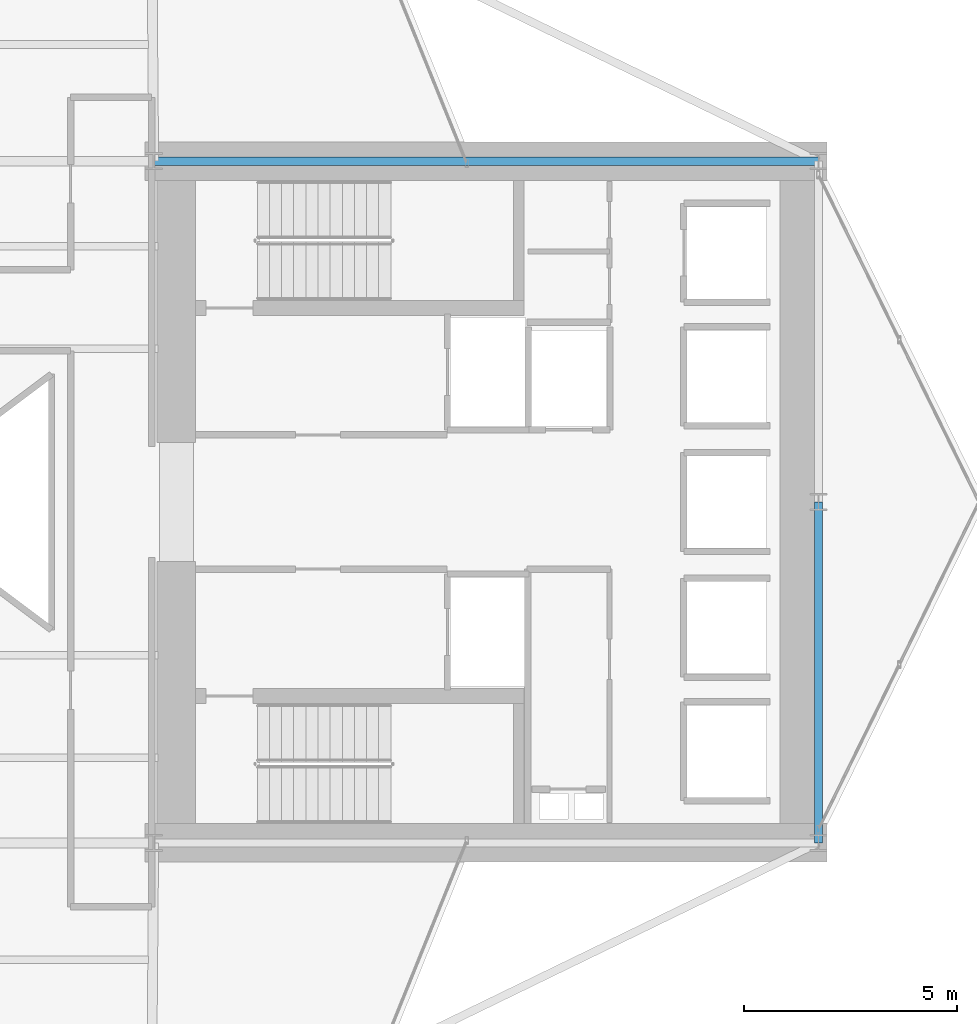
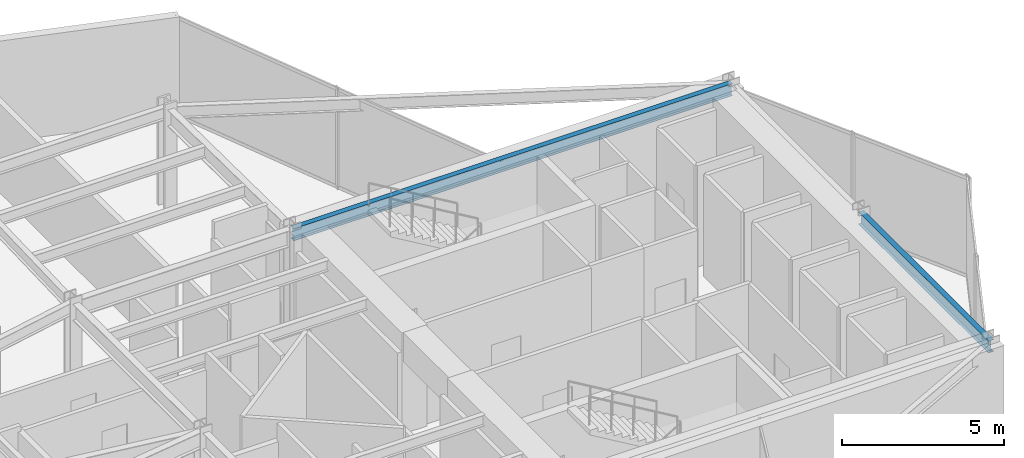
# One storey, part 18 of 29: 2 beams.
"""IFC4 building model written with IfcOpenShell, lengths in metres."""

import ifcopenshell
import ifcopenshell.guid

model = None  # the IFC model being written
_history = None  # IfcOwnerHistory: only IFC2X3 demands one
_inside = {}  # id of a spatial element -> (the spatial element, [elements in it])
_under = {}  # id of a project, library or spatial element -> (it, [spatial elements below it])
_declared = {}  # id of a project -> (the project, [libraries it declares])
_typed = {}  # id of a type object -> (the type object, [elements of that type])
_made_of = {}  # id of a material, layer set ... -> (it, [elements and type objects made of it])


def new_model(schema):
    """Start an empty IFC model of exactly this schema.

    Asked for "IFC4X3", IfcOpenShell would pick the latest addendum, in which some entities
    have other attributes; the version numbers below select the first issue.
    IFC2X3 requires an IfcOwnerHistory on every rooted entity: one is made here for all.
    """
    global model, _history
    if schema == "IFC4X3":
        model = ifcopenshell.file(schema_version=(4, 3, 0, 0))
    else:
        model = ifcopenshell.file(schema=schema)
    _inside.clear()
    _under.clear()
    _declared.clear()
    _typed.clear()
    _made_of.clear()
    _history = None
    if model.schema == "IFC2X3":
        org = make("IfcOrganization", Name="unknown")
        user = make(
            "IfcPersonAndOrganization",
            ThePerson=make("IfcPerson", FamilyName="unknown"),
            TheOrganization=org,
        )
        app = make(
            "IfcApplication",
            ApplicationDeveloper=org,
            Version="unknown",
            ApplicationFullName="unknown",
            ApplicationIdentifier="unknown",
        )
        _history = make(
            "IfcOwnerHistory",
            OwningUser=user,
            OwningApplication=app,
            ChangeAction="ADDED",
            CreationDate=0,
        )
    return model


def make(cls, **values):
    """One entity of the class cls with the attributes given. An attribute that is None is left unset."""
    return model.create_entity(
        cls, **{name: value for name, value in values.items() if value is not None}
    )


def rooted(cls, **values):
    """An entity with a GlobalId (a new one), such as an element, a storey or a relation."""
    return make(cls, GlobalId=ifcopenshell.guid.new(), OwnerHistory=_history, **values)


def si_unit(unit_type, name, prefix=None):
    """IfcSIUnit, for example si_unit("LENGTHUNIT", "METRE", prefix="MILLI")."""
    return make("IfcSIUnit", UnitType=unit_type, Prefix=prefix, Name=name)


def assignment(units):
    """IfcUnitAssignment: the units of a project."""
    return None if units is None else make("IfcUnitAssignment", Units=units)


def point(xyz):
    """IfcCartesianPoint."""
    return None if xyz is None else make("IfcCartesianPoint", Coordinates=xyz)


def direction(xyz):
    """IfcDirection."""
    return None if xyz is None else make("IfcDirection", DirectionRatios=xyz)


def frame(location, z_axis=None, x_axis=None):
    """IfcAxis2Placement3D, a coordinate frame: its origin and axes. An axis left out is left unset."""
    return make(
        "IfcAxis2Placement3D",
        Location=point(location),
        Axis=direction(z_axis),
        RefDirection=direction(x_axis),
    )


def frame_2d(location, x_axis=None):
    """IfcAxis2Placement2D, a coordinate frame in the plane: its origin and x axis."""
    return make(
        "IfcAxis2Placement2D", Location=point(location), RefDirection=direction(x_axis)
    )


def origin():
    """The frame at (0, 0, 0) with its axes left unset."""
    return frame((0.0, 0.0, 0.0))


def origin_2d():
    """The frame at (0, 0) in the plane with its x axis left unset."""
    return frame_2d((0.0, 0.0))


def place(relative_to, where):
    """IfcLocalPlacement: puts the frame where relative to a parent placement (None: the world)."""
    return make(
        "IfcLocalPlacement", PlacementRelTo=relative_to, RelativePlacement=where
    )


def context(
    kind, dimensions, precision=None, world=None, true_north=None, identifier=None
):
    """IfcGeometricRepresentationContext, for example the 3D "Model" context."""
    return make(
        "IfcGeometricRepresentationContext",
        ContextIdentifier=identifier,
        ContextType=kind,
        CoordinateSpaceDimension=dimensions,
        Precision=precision,
        WorldCoordinateSystem=world,
        TrueNorth=true_north,
    )


def subcontext(parent, identifier, kind, view, scale=None):
    """IfcGeometricRepresentationSubContext, for example "Body" below "Model"."""
    return make(
        "IfcGeometricRepresentationSubContext",
        ContextIdentifier=identifier,
        ContextType=kind,
        ParentContext=parent,
        TargetScale=scale,
        TargetView=view,
    )


def project(units=None, contexts=None):
    """IfcProject with its units and contexts."""
    return rooted(
        "IfcProject",
        Name="project",
        RepresentationContexts=contexts,
        UnitsInContext=assignment(units),
    )


def spatial(cls, under=None, at=None, **own):
    """A site, building, storey or space (cls), placed at a placement, below another one or the project."""
    s = rooted(cls, ObjectPlacement=at, **own)
    if under is not None:
        _under.setdefault(under.id(), (under, []))[1].append(s)
    return s


def profile(cls, at=None, kind="AREA", **sizes):
    """A parametric profile (cls). Its sizes go by their IFC names, for example OverallWidth=200.0."""
    return make(cls, ProfileType=kind, Position=at, **sizes)


def i_section(**sizes):
    """IfcIShapeProfileDef."""
    return profile("IfcIShapeProfileDef", **sizes)


def extrude(swept, where, along, depth):
    """IfcExtrudedAreaSolid: the profile swept, set in the frame where, extruded along a direction by depth."""
    return make(
        "IfcExtrudedAreaSolid",
        SweptArea=swept,
        Position=where,
        ExtrudedDirection=direction(along),
        Depth=depth,
    )


def shape(context_of_items, identifier, shape_type, items):
    """IfcShapeRepresentation: the items that make up one representation, for example the "Body"."""
    return make(
        "IfcShapeRepresentation",
        ContextOfItems=context_of_items,
        RepresentationIdentifier=identifier,
        RepresentationType=shape_type,
        Items=items,
    )


def material(Name=None, Category=None):
    """IfcMaterial."""
    return make("IfcMaterial", Name=Name, Category=Category)


def material_profile(
    of_material, cross_section, Name=None, Category=None, Priority=None
):
    """IfcMaterialProfile: a cross section and its material."""
    return make(
        "IfcMaterialProfile",
        Name=Name,
        Material=of_material,
        Profile=cross_section,
        Priority=Priority,
        Category=Category,
    )


def profile_set(profiles, Name=None, composite=None):
    """IfcMaterialProfileSet."""
    return make(
        "IfcMaterialProfileSet",
        Name=Name,
        MaterialProfiles=profiles,
        CompositeProfile=composite,
    )


def made_of(thing, what):
    """Note that an element or type object is made of a material, layer set ...; save() writes the relation."""
    if what is not None:
        _made_of.setdefault(what.id(), (what, []))[1].append(thing)
    return thing


def type_object(cls, material=None, **own):
    """A type object (cls), such as IfcWallType, which elements share."""
    return made_of(rooted(cls, **own), material)


def element(
    cls,
    number,
    at=None,
    inside=None,
    cuts=None,
    type_object=None,
    material=None,
    context=None,
    identifier="Body",
    shape_type=None,
    held_by="IfcProductDefinitionShape",
    body=None,
    shapes=None,
    **own,
):
    """One element of the class cls, such as IfcWall. Its Tag is "e" and its number.

    at: its placement. inside: the storey or other place that contains it. cuts: it is an
    opening in that element (IfcRelVoidsElement). A single representation is given by context,
    identifier, shape_type and body (its items); several are given by shapes. held_by: the class
    of the entity that holds the representations. save() writes the other relations.
    """
    e = rooted(cls, Tag="e%d" % number, ObjectPlacement=at, **own)
    if body is not None:
        shapes = [shape(context, identifier, shape_type, body)]
    if shapes is not None:
        e.Representation = make(held_by, Representations=shapes)
    if inside is not None:
        _inside.setdefault(inside.id(), (inside, []))[1].append(e)
    if cuts is not None:
        rooted(
            "IfcRelVoidsElement", RelatingBuildingElement=cuts, RelatedOpeningElement=e
        )
    if type_object is not None:
        _typed.setdefault(type_object.id(), (type_object, []))[1].append(e)
    return made_of(e, material)


def aggregate(whole, parts):
    """IfcRelAggregates: a whole, such as a stair, and the parts it consists of."""
    return rooted("IfcRelAggregates", RelatingObject=whole, RelatedObjects=parts)


def save(model, path):
    """Write the relations noted so far, then the file.

    IfcRelAggregates (storeys below a building ...), IfcRelContainedInSpatialStructure (elements
    in a storey), IfcRelDefinesByType, IfcRelAssociatesMaterial and IfcRelDeclares: one each for
    every whole, place, type object, material and project.
    """
    for whole, parts in _under.values():
        aggregate(whole, parts)
    for where, things in _inside.values():
        rooted(
            "IfcRelContainedInSpatialStructure",
            RelatedElements=things,
            RelatingStructure=where,
        )
    for kind, things in _typed.values():
        rooted("IfcRelDefinesByType", RelatedObjects=things, RelatingType=kind)
    for what, things in _made_of.values():
        rooted("IfcRelAssociatesMaterial", RelatedObjects=things, RelatingMaterial=what)
    for by, libraries in _declared.values():
        rooted("IfcRelDeclares", RelatingContext=by, RelatedDefinitions=libraries)
    model.write(path)


model = new_model("IFC4")

# Units and contexts
model_context = context("Model", 3, precision=1e-05, world=origin(), true_north=direction((0.0, 1.0)))
body_context = subcontext(model_context, "Body", "Model", "MODEL_VIEW")
ifc_project = project(units=[si_unit("LENGTHUNIT", "METRE"), si_unit("AREAUNIT", "SQUARE_METRE"), si_unit("VOLUMEUNIT", "CUBIC_METRE"), si_unit("PLANEANGLEUNIT", "RADIAN"), si_unit("MASSUNIT", "GRAM", prefix="KILO")], contexts=[model_context])

# Site, building, storey
site_placement = place(None, origin())
site = spatial("IfcSite", under=ifc_project, at=site_placement, CompositionType="ELEMENT")
building_placement = place(site_placement, origin())
building = spatial("IfcBuilding", under=site, at=building_placement, Name="Veymaron Broadcast Tower", CompositionType="ELEMENT")
storey_placement = place(building_placement, frame((0.0, 0.0, 62.10009765625)))
storey = spatial("IfcBuildingStorey", under=building, at=storey_placement, Name="L13", CompositionType="ELEMENT", Elevation=62.10009765625)

# Beams
ifc_material = material(Name="Structural steel ASTM A992 Gr 50", Category="steel")
ifc_material_profile = material_profile(ifc_material, i_section(OverallWidth=0.19091796875, OverallDepth=0.4599609375, WebThickness=0.010009765625, FlangeThickness=0.01611328125, at=origin_2d()), Name="W460X82")
ifc_profile_set = profile_set([ifc_material_profile], Name="Structural steel ASTM A992 Gr 50")
beam_type = type_object("IfcBeamType", Name="BM-SP1", PredefinedType="SPANDREL", material=ifc_profile_set)
beam_1_placement = place(storey_placement, frame((39.0, 32.0, 3.579833984375), z_axis=(1.0, 0.0, 0.0), x_axis=(0.0, 1.0, 0.0)))
element("IfcBeam", 1, at=beam_1_placement, inside=storey, type_object=beam_type, Name="L13 primary structural floor girder", PredefinedType="SPANDREL", context=body_context, shape_type="SweptSolid", body=[
    extrude(i_section(OverallWidth=0.19091796875, OverallDepth=0.4599609375, WebThickness=0.010009765625, FlangeThickness=0.01611328125, at=origin_2d()), origin(), (0.0, 0.0, 1.0), 15.60009765625),
])
beam_2_placement = place(storey_placement, frame((54.60009765625, 16.0, 3.579833984375), z_axis=(0.0, 1.0, 0.0), x_axis=(-1.0, 0.0, 0.0)))
element("IfcBeam", 2, at=beam_2_placement, inside=storey, type_object=beam_type, Name="L13 primary structural floor girder", PredefinedType="SPANDREL", context=body_context, shape_type="SweptSolid", body=[
    extrude(i_section(OverallWidth=0.19091796875, OverallDepth=0.4599609375, WebThickness=0.010009765625, FlangeThickness=0.01611328125, at=origin_2d()), origin(), (0.0, 0.0, 1.0), 8.0),
])

save(model, "model.ifc")
